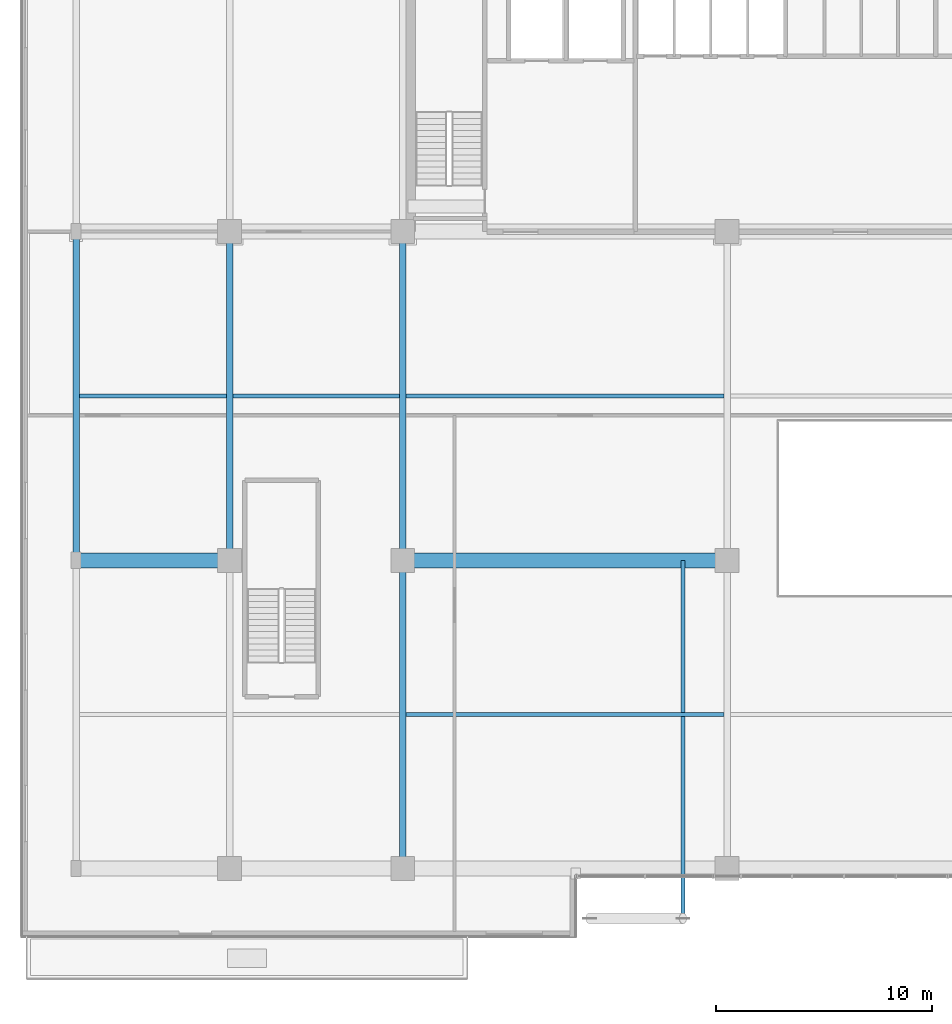
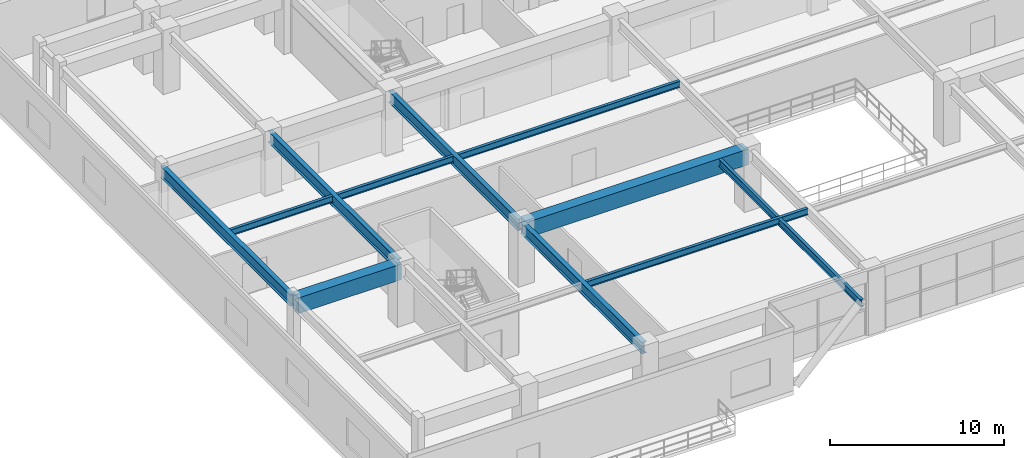
# One storey, part 3 of 24: 11 beams.
"""IFC4 building model written with IfcOpenShell, lengths in metres."""

import ifcopenshell
import ifcopenshell.guid

model = None  # the IFC model being written
_history = None  # IfcOwnerHistory: only IFC2X3 demands one
_inside = {}  # id of a spatial element -> (the spatial element, [elements in it])
_under = {}  # id of a project, library or spatial element -> (it, [spatial elements below it])
_declared = {}  # id of a project -> (the project, [libraries it declares])
_typed = {}  # id of a type object -> (the type object, [elements of that type])
_made_of = {}  # id of a material, layer set ... -> (it, [elements and type objects made of it])


def new_model(schema):
    """Start an empty IFC model of exactly this schema.

    Asked for "IFC4X3", IfcOpenShell would pick the latest addendum, in which some entities
    have other attributes; the version numbers below select the first issue.
    IFC2X3 requires an IfcOwnerHistory on every rooted entity: one is made here for all.
    """
    global model, _history
    if schema == "IFC4X3":
        model = ifcopenshell.file(schema_version=(4, 3, 0, 0))
    else:
        model = ifcopenshell.file(schema=schema)
    _inside.clear()
    _under.clear()
    _declared.clear()
    _typed.clear()
    _made_of.clear()
    _history = None
    if model.schema == "IFC2X3":
        org = make("IfcOrganization", Name="unknown")
        user = make(
            "IfcPersonAndOrganization",
            ThePerson=make("IfcPerson", FamilyName="unknown"),
            TheOrganization=org,
        )
        app = make(
            "IfcApplication",
            ApplicationDeveloper=org,
            Version="unknown",
            ApplicationFullName="unknown",
            ApplicationIdentifier="unknown",
        )
        _history = make(
            "IfcOwnerHistory",
            OwningUser=user,
            OwningApplication=app,
            ChangeAction="ADDED",
            CreationDate=0,
        )
    return model


def make(cls, **values):
    """One entity of the class cls with the attributes given. An attribute that is None is left unset."""
    return model.create_entity(
        cls, **{name: value for name, value in values.items() if value is not None}
    )


def rooted(cls, **values):
    """An entity with a GlobalId (a new one), such as an element, a storey or a relation."""
    return make(cls, GlobalId=ifcopenshell.guid.new(), OwnerHistory=_history, **values)


def si_unit(unit_type, name, prefix=None):
    """IfcSIUnit, for example si_unit("LENGTHUNIT", "METRE", prefix="MILLI")."""
    return make("IfcSIUnit", UnitType=unit_type, Prefix=prefix, Name=name)


def assignment(units):
    """IfcUnitAssignment: the units of a project."""
    return None if units is None else make("IfcUnitAssignment", Units=units)


def point(xyz):
    """IfcCartesianPoint."""
    return None if xyz is None else make("IfcCartesianPoint", Coordinates=xyz)


def direction(xyz):
    """IfcDirection."""
    return None if xyz is None else make("IfcDirection", DirectionRatios=xyz)


def frame(location, z_axis=None, x_axis=None):
    """IfcAxis2Placement3D, a coordinate frame: its origin and axes. An axis left out is left unset."""
    return make(
        "IfcAxis2Placement3D",
        Location=point(location),
        Axis=direction(z_axis),
        RefDirection=direction(x_axis),
    )


def frame_2d(location, x_axis=None):
    """IfcAxis2Placement2D, a coordinate frame in the plane: its origin and x axis."""
    return make(
        "IfcAxis2Placement2D", Location=point(location), RefDirection=direction(x_axis)
    )


def origin():
    """The frame at (0, 0, 0) with its axes left unset."""
    return frame((0.0, 0.0, 0.0))


def origin_2d():
    """The frame at (0, 0) in the plane with its x axis left unset."""
    return frame_2d((0.0, 0.0))


def place(relative_to, where):
    """IfcLocalPlacement: puts the frame where relative to a parent placement (None: the world)."""
    return make(
        "IfcLocalPlacement", PlacementRelTo=relative_to, RelativePlacement=where
    )


def context(
    kind, dimensions, precision=None, world=None, true_north=None, identifier=None
):
    """IfcGeometricRepresentationContext, for example the 3D "Model" context."""
    return make(
        "IfcGeometricRepresentationContext",
        ContextIdentifier=identifier,
        ContextType=kind,
        CoordinateSpaceDimension=dimensions,
        Precision=precision,
        WorldCoordinateSystem=world,
        TrueNorth=true_north,
    )


def subcontext(parent, identifier, kind, view, scale=None):
    """IfcGeometricRepresentationSubContext, for example "Body" below "Model"."""
    return make(
        "IfcGeometricRepresentationSubContext",
        ContextIdentifier=identifier,
        ContextType=kind,
        ParentContext=parent,
        TargetScale=scale,
        TargetView=view,
    )


def project(units=None, contexts=None):
    """IfcProject with its units and contexts."""
    return rooted(
        "IfcProject",
        Name="project",
        RepresentationContexts=contexts,
        UnitsInContext=assignment(units),
    )


def spatial(cls, under=None, at=None, **own):
    """A site, building, storey or space (cls), placed at a placement, below another one or the project."""
    s = rooted(cls, ObjectPlacement=at, **own)
    if under is not None:
        _under.setdefault(under.id(), (under, []))[1].append(s)
    return s


def profile(cls, at=None, kind="AREA", **sizes):
    """A parametric profile (cls). Its sizes go by their IFC names, for example OverallWidth=200.0."""
    return make(cls, ProfileType=kind, Position=at, **sizes)


def rectangle(**sizes):
    """IfcRectangleProfileDef."""
    return profile("IfcRectangleProfileDef", **sizes)


def i_section(**sizes):
    """IfcIShapeProfileDef."""
    return profile("IfcIShapeProfileDef", **sizes)


def extrude(swept, where, along, depth):
    """IfcExtrudedAreaSolid: the profile swept, set in the frame where, extruded along a direction by depth."""
    return make(
        "IfcExtrudedAreaSolid",
        SweptArea=swept,
        Position=where,
        ExtrudedDirection=direction(along),
        Depth=depth,
    )


def shape(context_of_items, identifier, shape_type, items):
    """IfcShapeRepresentation: the items that make up one representation, for example the "Body"."""
    return make(
        "IfcShapeRepresentation",
        ContextOfItems=context_of_items,
        RepresentationIdentifier=identifier,
        RepresentationType=shape_type,
        Items=items,
    )


def source(mapping_origin, context_of_items, identifier, shape_type, items):
    """IfcRepresentationMap: a shape defined once, which mapped items show again and again."""
    return make(
        "IfcRepresentationMap",
        MappingOrigin=mapping_origin,
        MappedRepresentation=shape(context_of_items, identifier, shape_type, items),
    )


def transform(
    local_origin,
    x_axis=None,
    y_axis=None,
    z_axis=None,
    scale=None,
    scale2=None,
    scale3=None,
    uniform=True,
):
    """IfcCartesianTransformationOperator3D, or its non-uniform kind. x_axis, y_axis, z_axis: its Axis1, 2, 3."""
    if uniform:
        return make(
            "IfcCartesianTransformationOperator3D",
            Axis1=direction(x_axis),
            Axis2=direction(y_axis),
            LocalOrigin=point(local_origin),
            Scale=scale,
            Axis3=direction(z_axis),
        )
    return make(
        "IfcCartesianTransformationOperator3DnonUniform",
        Axis1=direction(x_axis),
        Axis2=direction(y_axis),
        LocalOrigin=point(local_origin),
        Scale=scale,
        Axis3=direction(z_axis),
        Scale2=scale2,
        Scale3=scale3,
    )


def mapped(mapping_source, mapping_target):
    """IfcMappedItem: shows the shape of a source again, moved by a transform."""
    return make(
        "IfcMappedItem", MappingSource=mapping_source, MappingTarget=mapping_target
    )


def material(Name=None, Category=None):
    """IfcMaterial."""
    return make("IfcMaterial", Name=Name, Category=Category)


def material_profile(
    of_material, cross_section, Name=None, Category=None, Priority=None
):
    """IfcMaterialProfile: a cross section and its material."""
    return make(
        "IfcMaterialProfile",
        Name=Name,
        Material=of_material,
        Profile=cross_section,
        Priority=Priority,
        Category=Category,
    )


def profile_set(profiles, Name=None, composite=None):
    """IfcMaterialProfileSet."""
    return make(
        "IfcMaterialProfileSet",
        Name=Name,
        MaterialProfiles=profiles,
        CompositeProfile=composite,
    )


def made_of(thing, what):
    """Note that an element or type object is made of a material, layer set ...; save() writes the relation."""
    if what is not None:
        _made_of.setdefault(what.id(), (what, []))[1].append(thing)
    return thing


def type_object(cls, material=None, **own):
    """A type object (cls), such as IfcWallType, which elements share."""
    return made_of(rooted(cls, **own), material)


def element(
    cls,
    number,
    at=None,
    inside=None,
    cuts=None,
    type_object=None,
    material=None,
    context=None,
    identifier="Body",
    shape_type=None,
    held_by="IfcProductDefinitionShape",
    body=None,
    shapes=None,
    **own,
):
    """One element of the class cls, such as IfcWall. Its Tag is "e" and its number.

    at: its placement. inside: the storey or other place that contains it. cuts: it is an
    opening in that element (IfcRelVoidsElement). A single representation is given by context,
    identifier, shape_type and body (its items); several are given by shapes. held_by: the class
    of the entity that holds the representations. save() writes the other relations.
    """
    e = rooted(cls, Tag="e%d" % number, ObjectPlacement=at, **own)
    if body is not None:
        shapes = [shape(context, identifier, shape_type, body)]
    if shapes is not None:
        e.Representation = make(held_by, Representations=shapes)
    if inside is not None:
        _inside.setdefault(inside.id(), (inside, []))[1].append(e)
    if cuts is not None:
        rooted(
            "IfcRelVoidsElement", RelatingBuildingElement=cuts, RelatedOpeningElement=e
        )
    if type_object is not None:
        _typed.setdefault(type_object.id(), (type_object, []))[1].append(e)
    return made_of(e, material)


def aggregate(whole, parts):
    """IfcRelAggregates: a whole, such as a stair, and the parts it consists of."""
    return rooted("IfcRelAggregates", RelatingObject=whole, RelatedObjects=parts)


def save(model, path):
    """Write the relations noted so far, then the file.

    IfcRelAggregates (storeys below a building ...), IfcRelContainedInSpatialStructure (elements
    in a storey), IfcRelDefinesByType, IfcRelAssociatesMaterial and IfcRelDeclares: one each for
    every whole, place, type object, material and project.
    """
    for whole, parts in _under.values():
        aggregate(whole, parts)
    for where, things in _inside.values():
        rooted(
            "IfcRelContainedInSpatialStructure",
            RelatedElements=things,
            RelatingStructure=where,
        )
    for kind, things in _typed.values():
        rooted("IfcRelDefinesByType", RelatedObjects=things, RelatingType=kind)
    for what, things in _made_of.values():
        rooted("IfcRelAssociatesMaterial", RelatedObjects=things, RelatingMaterial=what)
    for by, libraries in _declared.values():
        rooted("IfcRelDeclares", RelatingContext=by, RelatedDefinitions=libraries)
    model.write(path)


model = new_model("IFC4")

# Units and contexts
model_context = context("Model", 3, precision=1e-05, world=origin(), true_north=direction((0.0, 1.0)))
body_context = subcontext(model_context, "Body", "Model", "MODEL_VIEW")
ifc_project = project(units=[si_unit("LENGTHUNIT", "METRE"), si_unit("AREAUNIT", "SQUARE_METRE"), si_unit("VOLUMEUNIT", "CUBIC_METRE"), si_unit("PLANEANGLEUNIT", "RADIAN"), si_unit("MASSUNIT", "GRAM", prefix="KILO")], contexts=[model_context])

# Site, building, storey
site_placement = place(None, origin())
site = spatial("IfcSite", under=ifc_project, at=site_placement, CompositionType="ELEMENT")
building_placement = place(site_placement, origin())
building = spatial("IfcBuilding", under=site, at=building_placement, Name="Trelvane Seafront Commons", CompositionType="ELEMENT")
storey_placement = place(building_placement, frame((0.0, 0.0, 9.699951171875)))
storey = spatial("IfcBuildingStorey", under=building, at=storey_placement, Name="L02", CompositionType="ELEMENT", Elevation=9.699951171875)

# Beams
ifc_material_1 = material(Name="Concrete C50/60", Category="concrete")
ifc_material_profile_1 = material_profile(ifc_material_1, rectangle(XDim=0.699951171875, YDim=1.10009765625, at=origin_2d()), Name="RC-700x1100")
ifc_profile_set_1 = profile_set([ifc_material_profile_1], Name="Concrete C50/60")
beam_type_1 = type_object("IfcBeamType", Name="STR-TBM-RC700x1100", PredefinedType="T_BEAM", material=ifc_profile_set_1)
shared_shape_1 = source(origin(), body_context, "Body", "SweptSolid", [
    extrude(rectangle(XDim=0.699951171875, YDim=1.10009765625, at=origin_2d()), origin(), (0.0, 0.0, 1.0), 6.83740234375),
])
beam_1_placement = place(storey_placement, frame((0.612548828125, 18.199951171875, 3.650146484375), z_axis=(1.0, 0.0, 0.0), x_axis=(0.0, 1.0, 0.0)))
element("IfcBeam", 1, at=beam_1_placement, inside=storey, type_object=beam_type_1, Name="L02 Primary Girder G-07", PredefinedType="T_BEAM", context=body_context, shape_type="MappedRepresentation", body=[
    mapped(shared_shape_1, transform((0.0, 0.0, 0.0), x_axis=(1.0, 0.0, 0.0), y_axis=(0.0, 1.0, 0.0), z_axis=(0.0, 0.0, 1.0), scale=1.0)),
])
shared_shape_2 = source(origin(), body_context, "Body", "SweptSolid", [
    extrude(rectangle(XDim=0.699951171875, YDim=1.10009765625, at=origin_2d()), origin(), (0.0, 0.0, 1.0), 14.699951171875),
])
beam_2_placement = place(storey_placement, frame((15.75, 18.199951171875, 3.650146484375), z_axis=(1.0, 0.0, 0.0), x_axis=(0.0, 1.0, 0.0)))
element("IfcBeam", 2, at=beam_2_placement, inside=storey, type_object=beam_type_1, Name="L02 Primary Girder G-09", PredefinedType="T_BEAM", context=body_context, shape_type="MappedRepresentation", body=[
    mapped(shared_shape_2, transform((0.0, 0.0, 0.0), x_axis=(1.0, 0.0, 0.0), y_axis=(0.0, 1.0, 0.0), z_axis=(0.0, 0.0, 1.0), scale=1.0)),
])
ifc_material_2 = material(Name="Steel SM355 (S355)", Category="steel")
ifc_material_profile_2 = material_profile(ifc_material_2, i_section(OverallWidth=0.300048828125, OverallDepth=0.800048828125, WebThickness=0.013916015625, FlangeThickness=0.02587890625, at=origin_2d()), Name="H-800x300x14x26")
ifc_profile_set_2 = profile_set([ifc_material_profile_2], Name="Steel SM355 (S355)")
beam_type_2 = type_object("IfcBeamType", Name="STR-BM-H800", PredefinedType="BEAM", material=ifc_profile_set_2)
shared_shape_3 = source(origin(), body_context, "Body", "SweptSolid", [
    extrude(i_section(OverallWidth=0.300048828125, OverallDepth=0.800048828125, WebThickness=0.013916015625, FlangeThickness=0.02587890625, at=origin_2d()), origin(), (0.0, 0.0, 1.0), 13.949951171875),
])
beam_3_placement = place(storey_placement, frame((15.60009765625, 4.10009765625, 3.800048828125), z_axis=(0.0, 1.0, 0.0), x_axis=(-1.0, 0.0, 0.0)))
element("IfcBeam", 3, at=beam_3_placement, inside=storey, type_object=beam_type_2, Name="L02 Primary Girder G-39", PredefinedType="BEAM", context=body_context, shape_type="MappedRepresentation", body=[
    mapped(shared_shape_3, transform((0.0, 0.0, 0.0), x_axis=(1.0, 0.0, 0.0), y_axis=(0.0, 1.0, 0.0), z_axis=(0.0, 0.0, 1.0), scale=1.0)),
])
shared_shape_4 = source(origin(), body_context, "Body", "SweptSolid", [
    extrude(i_section(OverallWidth=0.300048828125, OverallDepth=0.800048828125, WebThickness=0.013916015625, FlangeThickness=0.02587890625, at=origin_2d()), origin(), (0.0, 0.0, 1.0), 14.89990234375),
])
for number, where, z_axis, x_axis, name in (
    (4, (0.5, 18.35009765625, 3.800048828125), (0.0, 1.0, 0.0), (-1.0, 0.0, 0.0), "L02 Primary Girder G-32"),
    (5, (7.60009765625, 18.35009765625, 3.800048828125), (0.0, 1.0, 0.0), (-1.0, 0.0, 0.0), "L02 Primary Girder G-36"),
    (6, (15.60009765625, 18.35009765625, 3.800048828125), (0.0, 1.0, 0.0), (-1.0, 0.0, 0.0), "L02 Primary Girder G-40"),
):
    element("IfcBeam", number, at=place(storey_placement, frame(where, z_axis=z_axis, x_axis=x_axis)), inside=storey, type_object=beam_type_2, Name=name, PredefinedType="BEAM", context=body_context, shape_type="MappedRepresentation", body=[
        mapped(shared_shape_4, transform((0.0, 0.0, 0.0), x_axis=(1.0, 0.0, 0.0), y_axis=(0.0, 1.0, 0.0), z_axis=(0.0, 0.0, 1.0), scale=1.0)),
    ])
ifc_material_profile_3 = material_profile(ifc_material_2, i_section(OverallWidth=0.199951171875, OverallDepth=0.449951171875, WebThickness=0.009033203125, FlangeThickness=0.013916015625, at=origin_2d()), Name="H-450x200x9x14")
ifc_profile_set_3 = profile_set([ifc_material_profile_3], Name="Steel SM355 (S355)")
beam_type_3 = type_object("IfcBeamType", Name="STR-JST-H450", PredefinedType="JOIST", material=ifc_profile_set_3)
shared_shape_5 = source(origin(), body_context, "Body", "SweptSolid", [
    extrude(i_section(OverallWidth=0.199951171875, OverallDepth=0.449951171875, WebThickness=0.009033203125, FlangeThickness=0.013916015625, at=origin_2d()), origin(), (0.0, 0.0, 1.0), 6.800048828125),
])
beam_4_placement = place(storey_placement, frame((0.64990234375, 25.800048828125, 3.97509765625), z_axis=(1.0, 0.0, 0.0), x_axis=(0.0, 1.0, 0.0)))
element("IfcBeam", 7, at=beam_4_placement, inside=storey, type_object=beam_type_3, Name="L02 Secondary Floor Joist B-65", PredefinedType="JOIST", context=body_context, shape_type="MappedRepresentation", body=[
    mapped(shared_shape_5, transform((0.0, 0.0, 0.0), x_axis=(1.0, 0.0, 0.0), y_axis=(0.0, 1.0, 0.0), z_axis=(0.0, 0.0, 1.0), scale=1.0)),
])
shared_shape_6 = source(origin(), body_context, "Body", "SweptSolid", [
    extrude(i_section(OverallWidth=0.199951171875, OverallDepth=0.449951171875, WebThickness=0.009033203125, FlangeThickness=0.013916015625, at=origin_2d()), origin(), (0.0, 0.0, 1.0), 7.699951171875),
])
beam_5_placement = place(storey_placement, frame((7.75, 25.800048828125, 3.97509765625), z_axis=(1.0, 0.0, 0.0), x_axis=(0.0, 1.0, 0.0)))
element("IfcBeam", 8, at=beam_5_placement, inside=storey, type_object=beam_type_3, Name="L02 Secondary Floor Joist B-66", PredefinedType="JOIST", context=body_context, shape_type="MappedRepresentation", body=[
    mapped(shared_shape_6, transform((0.0, 0.0, 0.0), x_axis=(1.0, 0.0, 0.0), y_axis=(0.0, 1.0, 0.0), z_axis=(0.0, 0.0, 1.0), scale=1.0)),
])
shared_shape_7 = source(origin(), body_context, "Body", "SweptSolid", [
    extrude(i_section(OverallWidth=0.199951171875, OverallDepth=0.449951171875, WebThickness=0.009033203125, FlangeThickness=0.013916015625, at=origin_2d()), origin(), (0.0, 0.0, 1.0), 14.699951171875),
])
for number, where, z_axis, x_axis, name in (
    (9, (15.75, 11.074951171875, 3.97509765625), (1.0, 0.0, 0.0), (0.0, 1.0, 0.0), "L02 Secondary Floor Joist B-61"),
    (10, (15.75, 25.800048828125, 3.97509765625), (1.0, 0.0, 0.0), (0.0, 1.0, 0.0), "L02 Secondary Floor Joist B-67"),
):
    element("IfcBeam", number, at=place(storey_placement, frame(where, z_axis=z_axis, x_axis=x_axis)), inside=storey, type_object=beam_type_3, Name=name, PredefinedType="JOIST", context=body_context, shape_type="MappedRepresentation", body=[
        mapped(shared_shape_7, transform((0.0, 0.0, 0.0), x_axis=(1.0, 0.0, 0.0), y_axis=(0.0, 1.0, 0.0), z_axis=(0.0, 0.0, 1.0), scale=1.0)),
    ])
ifc_material_profile_4 = material_profile(ifc_material_2, i_section(OverallWidth=0.199951171875, OverallDepth=0.5, WebThickness=0.010009765625, FlangeThickness=0.01611328125, at=origin_2d()), Name="H-500x200x10x16")
ifc_profile_set_4 = profile_set([ifc_material_profile_4], Name="Steel SM355 (S355)")
beam_type_4 = type_object("IfcBeamType", Name="STR-BM-H500", PredefinedType="BEAM", material=ifc_profile_set_4)
shared_shape_8 = source(origin(), body_context, "Body", "SweptSolid", [
    extrude(i_section(OverallWidth=0.199951171875, OverallDepth=0.5, WebThickness=0.010009765625, FlangeThickness=0.01611328125, at=origin_2d()), origin(), (0.0, 0.0, 1.0), 16.64990234375),
])
beam_6_placement = place(storey_placement, frame((28.56005859375, 18.199951171875, 3.949951171875), z_axis=(0.0, -1.0, 0.0), x_axis=(1.0, 0.0, 0.0)))
element("IfcBeam", 11, at=beam_6_placement, inside=storey, type_object=beam_type_4, Name="L02 Inverted-V Portal Tie Cantilever Girder G-73", PredefinedType="BEAM", context=body_context, shape_type="MappedRepresentation", body=[
    mapped(shared_shape_8, transform((0.0, 0.0, 0.0), x_axis=(1.0, 0.0, 0.0), y_axis=(0.0, 1.0, 0.0), z_axis=(0.0, 0.0, 1.0), scale=1.0)),
])

save(model, "model.ifc")
